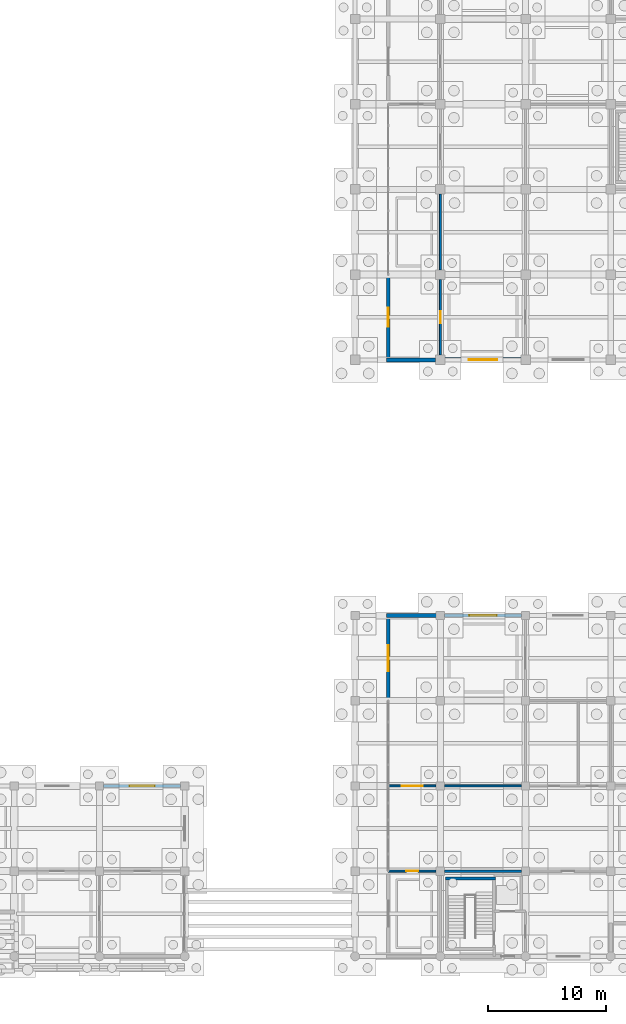
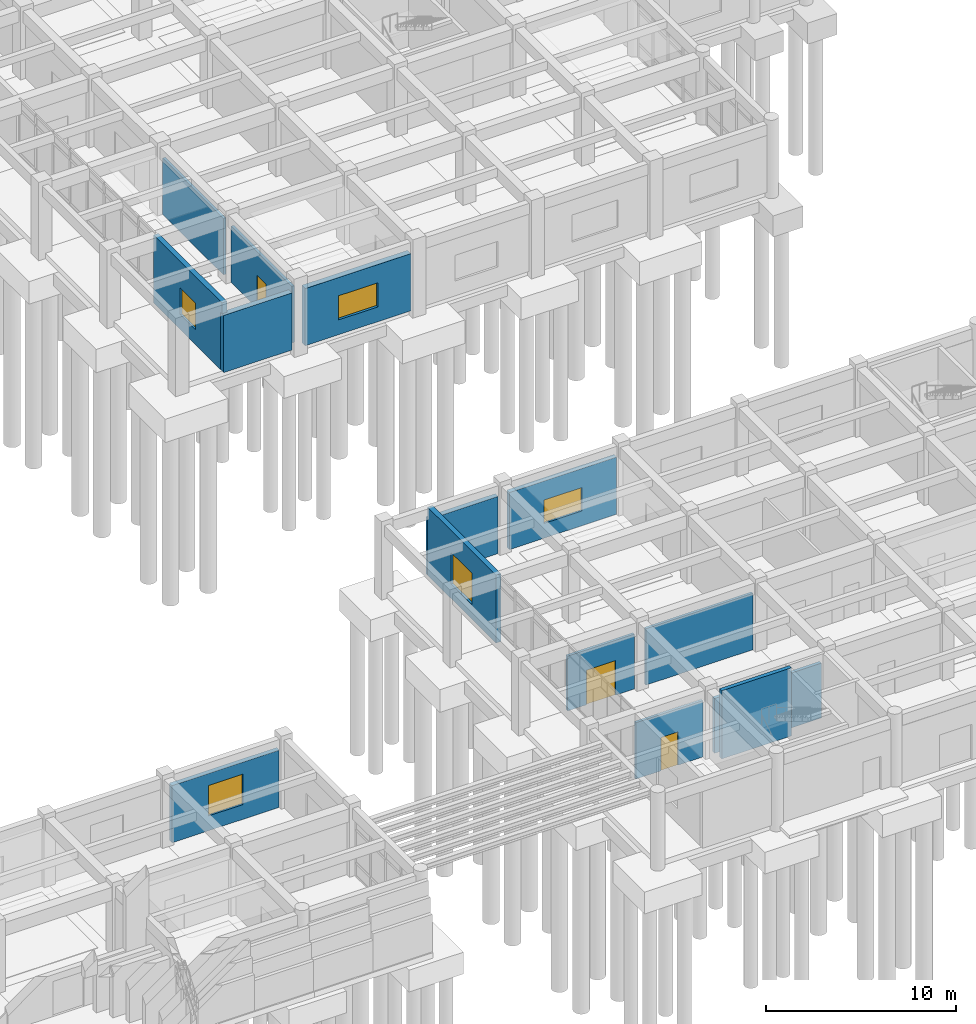
# One storey, part 60 of 79: 14 walls, 5 windows, 3 doors, 8 openings.
"""IFC4 building model written with IfcOpenShell, lengths in metres."""

from ifc_helpers import new_model, si_unit, direction, frame, frame_2d, origin, place, context, subcontext, project, spatial, rectangle, extrude, material, layer, layer_set, type_object, element, fill, save


model = new_model("IFC4")

# Units and contexts
model_context = context("Model", 3, precision=1e-05, world=origin(), true_north=direction((0.0, 1.0)))
body_context = subcontext(model_context, "Body", "Model", "MODEL_VIEW")
ifc_project = project(units=[si_unit("LENGTHUNIT", "METRE"), si_unit("AREAUNIT", "SQUARE_METRE"), si_unit("VOLUMEUNIT", "CUBIC_METRE"), si_unit("PLANEANGLEUNIT", "RADIAN"), si_unit("MASSUNIT", "GRAM", prefix="KILO")], contexts=[model_context])

# Site, building, storey
site_placement = place(None, origin())
site = spatial("IfcSite", under=ifc_project, at=site_placement, CompositionType="ELEMENT")
building_placement = place(site_placement, origin())
building = spatial("IfcBuilding", under=site, at=building_placement, Name="Kavelor Marine Aquarium", CompositionType="ELEMENT")
storey_placement = place(building_placement, origin())
storey = spatial("IfcBuildingStorey", under=building, at=storey_placement, Name="L00", CompositionType="ELEMENT", Elevation=0.0)

# Wall, opening, window
ifc_material_1 = material(Name="Concrete C45/55", Category="concrete")
ifc_layer_1 = layer(ifc_material_1, 0.360107421875)
ifc_layer_set_1 = layer_set([ifc_layer_1], Name="WL-EX1")
wall_type_1 = type_object("IfcWallType", Name="WL-EX1", PredefinedType="STANDARD", material=ifc_layer_set_1)
wall_1_placement = place(storey_placement, frame((132.405029296875, 53.199951171875, 0.0), z_axis=(0.0, 0.0, 1.0), x_axis=(-1.0, 0.0, 0.0)))
wall_1 = element("IfcWall", 1, at=wall_1_placement, inside=storey, type_object=wall_type_1, Name="ew:x:L00:17_07", PredefinedType="STANDARD", context=body_context, shape_type="SweptSolid", body=[
    extrude(rectangle(XDim=6.409912109375, YDim=0.360107421875, at=frame_2d((3.205078125, 0.0))), origin(), (0.0, 0.0, 1.0), 3.669921875),
])
opening_1_placement = place(wall_1_placement, frame((2.0048828125, 0.0, 0.949951171875)))
opening_1 = element("IfcOpeningElement", 2, at=opening_1_placement, cuts=wall_1, Name="Opening W14", PredefinedType="OPENING", context=body_context, shape_type="SweptSolid", body=[
    extrude(rectangle(XDim=2.39990234375, YDim=1.550048828125, at=frame_2d((1.199951171875, 0.77490234375))), frame((0.0, 0.18994140625, 0.0), z_axis=(0.0, -1.0, 0.0), x_axis=(1.0, 0.0, 0.0)), (0.0, 0.0, 1.0), 0.380107),
])
ifc_material_2 = material(Name="Anodised Aluminium Frame with Low-E Double Glazing", Category="aluminium")
window_type_1 = type_object("IfcWindowType", Name="WIN-W14", PartitioningType="DOUBLE_PANEL_VERTICAL", PredefinedType="WINDOW", material=ifc_material_2)
window_1_placement = place(opening_1_placement, origin())
window_1 = element("IfcWindow", 3, at=window_1_placement, inside=storey, type_object=window_type_1, Name="win:x:L00:17_07", OverallHeight=1.550048828125, OverallWidth=2.39990234375, PartitioningType="SINGLE_PANEL", PredefinedType="WINDOW", context=body_context, shape_type="SweptSolid", body=[
    extrude(rectangle(XDim=2.39990234375, YDim=1.550048828125, at=frame_2d((1.199951171875, 0.77490234375))), frame((0.0, 0.030029296875, 0.0), z_axis=(0.0, -1.0, 0.0), x_axis=(1.0, 0.0, 0.0)), (0.0, 0.0, 1.0), 0.06005859375),
])
fill(opening_1, window_1)

ifc_material_3 = material(Name="Concrete C45/55", Category="concrete")
ifc_layer_2 = layer(ifc_material_3, 0.320068359375)
ifc_layer_set_2 = layer_set([ifc_layer_2], Name="WL-EX2")
wall_type_2 = type_object("IfcWallType", Name="WL-EX2", PredefinedType="STANDARD", material=ifc_layer_set_2)
wall_2_placement = place(storey_placement, frame((121.199951171875, 31.60009765625, 0.0), z_axis=(0.0, 0.0, 1.0), x_axis=(0.0, -1.0, 0.0)))
wall_2 = element("IfcWall", 4, at=wall_2_placement, inside=storey, type_object=wall_type_2, Name="ew:arc:v3w:03", PredefinedType="STANDARD", context=body_context, shape_type="SweptSolid", body=[
    extrude(rectangle(XDim=7.2001953125, YDim=0.300048828125, at=frame_2d((3.60009765625, 0.0))), origin(), (0.0, 0.0, 1.0), 4.3701171875),
])
opening_2_placement = place(wall_2_placement, frame((2.5, 0.0, 0.949951171875)))
opening_2 = element("IfcOpeningElement", 5, at=opening_2_placement, cuts=wall_2, Name="Opening W12", PredefinedType="OPENING", context=body_context, shape_type="SweptSolid", body=[
    extrude(rectangle(XDim=2.199951171875, YDim=2.0, at=frame_2d((1.10009765625, 1.0))), frame((0.0, 0.159912109375, 0.0), z_axis=(0.0, -1.0, 0.0), x_axis=(1.0, 0.0, 0.0)), (0.0, 0.0, 1.0), 0.320049),
])
ifc_material_4 = material(Name="Anodised Aluminium Frame with Low-E Double Glazing", Category="aluminium")
window_type_2 = type_object("IfcWindowType", Name="WIN-W12", PartitioningType="DOUBLE_PANEL_VERTICAL", PredefinedType="WINDOW", material=ifc_material_4)
window_2_placement = place(opening_2_placement, origin())
window_2 = element("IfcWindow", 6, at=window_2_placement, inside=storey, type_object=window_type_2, Name="win:arc:v3w:03", OverallHeight=2.0, OverallWidth=2.199951171875, PartitioningType="SINGLE_PANEL", PredefinedType="WINDOW", context=body_context, shape_type="SweptSolid", body=[
    extrude(rectangle(XDim=2.199951171875, YDim=2.0, at=frame_2d((1.10009765625, 1.0))), frame((0.0, 0.030029296875, 0.0), z_axis=(0.0, -1.0, 0.0), x_axis=(1.0, 0.0, 0.0)), (0.0, 0.0, 1.0), 0.06005859375),
])
fill(opening_2, window_2)

wall_3_placement = place(storey_placement, frame((121.199951171875, 53.199951171875, 0.0), z_axis=(0.0, 0.0, 1.0), x_axis=(0.0, 1.0, 0.0)))
wall_3 = element("IfcWall", 7, at=wall_3_placement, inside=storey, type_object=wall_type_2, Name="ew:arc:v6w:07", PredefinedType="STANDARD", context=body_context, shape_type="SweptSolid", body=[
    extrude(rectangle(XDim=7.199951171875, YDim=0.300048828125, at=frame_2d((3.60009765625, 0.0))), origin(), (0.0, 0.0, 1.0), 4.3701171875),
])
opening_3_placement = place(wall_3_placement, frame((2.800048828125, 0.0, 0.949951171875)))
opening_3 = element("IfcOpeningElement", 8, at=opening_3_placement, cuts=wall_3, Name="Opening W06", PredefinedType="OPENING", context=body_context, shape_type="SweptSolid", body=[
    extrude(rectangle(XDim=1.60009765625, YDim=1.699951171875, at=frame_2d((0.800048828125, 0.85009765625))), frame((0.0, 0.159912109375, 0.0), z_axis=(0.0, -1.0, 0.0), x_axis=(1.0, 0.0, 0.0)), (0.0, 0.0, 1.0), 0.320049),
])
ifc_material_5 = material(Name="Anodised Aluminium Frame with Low-E Double Glazing", Category="aluminium")
window_type_3 = type_object("IfcWindowType", Name="WIN-W06", PartitioningType="SINGLE_PANEL", PredefinedType="WINDOW", material=ifc_material_5)
window_3_placement = place(opening_3_placement, origin())
window_3 = element("IfcWindow", 9, at=window_3_placement, inside=storey, type_object=window_type_3, Name="win:arc:v6w:07", OverallHeight=1.699951171875, OverallWidth=1.60009765625, PartitioningType="SINGLE_PANEL", PredefinedType="WINDOW", context=body_context, shape_type="SweptSolid", body=[
    extrude(rectangle(XDim=1.60009765625, YDim=1.699951171875, at=frame_2d((0.800048828125, 0.85009765625))), frame((0.0, 0.030029296875, 0.0), z_axis=(0.0, -1.0, 0.0), x_axis=(1.0, 0.0, 0.0)), (0.0, 0.0, 1.0), 0.06005859375),
])
fill(opening_3, window_3)

# Wall
ifc_material_6 = material(Name="Concrete C40/50", Category="concrete")
ifc_layer_3 = layer(ifc_material_6, 0.300048828125)
ifc_layer_set_3 = layer_set([ifc_layer_3], Name="WL-EX3")
wall_type_3 = type_object("IfcWallType", Name="WL-EX3", PredefinedType="STANDARD", material=ifc_layer_set_3)
wall_4_placement = place(storey_placement, frame((121.050048828125, 31.60009765625, 0.0), z_axis=(0.0, 0.0, 1.0), x_axis=(1.0, 0.0, 0.0)))
element("IfcWall", 10, at=wall_4_placement, inside=storey, type_object=wall_type_3, Name="ew:x:L00:16_04", PredefinedType="STANDARD", context=body_context, shape_type="SweptSolid", body=[
    extrude(rectangle(XDim=4.204833984375, YDim=0.300048828125, at=frame_2d((2.1025390625, 0.0))), origin(), (0.0, 0.0, 1.0), 3.669921875),
])

# Wall, opening, window
ifc_material_7 = material(Name="Concrete C40/50", Category="concrete")
ifc_layer_4 = layer(ifc_material_7, 0.280029296875)
ifc_layer_set_4 = layer_set([ifc_layer_4], Name="WL-EX4")
wall_type_4 = type_object("IfcWallType", Name="WL-EX4", PredefinedType="STANDARD", material=ifc_layer_set_4)
wall_5_placement = place(storey_placement, frame((97.14501953125, 17.199951171875, 0.0), z_axis=(0.0, 0.0, 1.0), x_axis=(1.0, 0.0, 0.0)))
wall_5 = element("IfcWall", 11, at=wall_5_placement, inside=storey, type_object=wall_type_4, Name="ew:x:L00:13_02", PredefinedType="STANDARD", context=body_context, shape_type="SweptSolid", body=[
    extrude(rectangle(XDim=6.510009765625, YDim=0.280029296875, at=frame_2d((3.2548828125, 0.0))), origin(), (0.0, 0.0, 1.0), 3.669921875),
])
opening_4_placement = place(wall_5_placement, frame((2.205078125, 0.0, 0.949951171875)))
opening_4 = element("IfcOpeningElement", 12, at=opening_4_placement, cuts=wall_5, Name="Opening W11", PredefinedType="OPENING", context=body_context, shape_type="SweptSolid", body=[
    extrude(rectangle(XDim=2.10009765625, YDim=1.949951171875, at=frame_2d((1.050048828125, 0.97509765625))), frame((0.0, 0.14990234375, 0.0), z_axis=(0.0, -1.0, 0.0), x_axis=(1.0, 0.0, 0.0)), (0.0, 0.0, 1.0), 0.300029),
])
ifc_material_8 = material(Name="Anodised Aluminium Frame with Low-E Double Glazing", Category="aluminium")
window_type_4 = type_object("IfcWindowType", Name="WIN-W11", PartitioningType="DOUBLE_PANEL_VERTICAL", PredefinedType="WINDOW", material=ifc_material_8)
window_4_placement = place(opening_4_placement, origin())
window_4 = element("IfcWindow", 13, at=window_4_placement, inside=storey, type_object=window_type_4, Name="win:x:L00:13_02", OverallHeight=1.949951171875, OverallWidth=2.10009765625, PartitioningType="SINGLE_PANEL", PredefinedType="WINDOW", context=body_context, shape_type="SweptSolid", body=[
    extrude(rectangle(XDim=2.10009765625, YDim=1.949951171875, at=frame_2d((1.050048828125, 0.97509765625))), frame((0.0, 0.030029296875, 0.0), z_axis=(0.0, -1.0, 0.0), x_axis=(1.0, 0.0, 0.0)), (0.0, 0.0, 1.0), 0.06005859375),
])
fill(opening_4, window_4)

wall_6_placement = place(storey_placement, frame((125.945068359375, 31.60009765625, 0.0), z_axis=(0.0, 0.0, 1.0), x_axis=(1.0, 0.0, 0.0)))
wall_6 = element("IfcWall", 14, at=wall_6_placement, inside=storey, type_object=wall_type_4, Name="ew:x:L00:17_04", PredefinedType="STANDARD", context=body_context, shape_type="SweptSolid", body=[
    extrude(rectangle(XDim=6.510009765625, YDim=0.280029296875, at=frame_2d((3.2548828125, 0.0))), origin(), (0.0, 0.0, 1.0), 3.669921875),
])
opening_5_placement = place(wall_6_placement, frame((2.10498046875, 0.0, 0.949951171875)))
opening_5 = element("IfcOpeningElement", 15, at=opening_5_placement, cuts=wall_6, Name="Opening W13", PredefinedType="OPENING", context=body_context, shape_type="SweptSolid", body=[
    extrude(rectangle(XDim=2.300048828125, YDim=1.5, at=frame_2d((1.14990234375, 0.75))), frame((0.0, 0.14990234375, 0.0), z_axis=(0.0, -1.0, 0.0), x_axis=(1.0, 0.0, 0.0)), (0.0, 0.0, 1.0), 0.300029),
])
ifc_material_9 = material(Name="Anodised Aluminium Frame with Low-E Double Glazing", Category="aluminium")
window_type_5 = type_object("IfcWindowType", Name="WIN-W13", PartitioningType="DOUBLE_PANEL_VERTICAL", PredefinedType="WINDOW", material=ifc_material_9)
window_5_placement = place(opening_5_placement, origin())
window_5 = element("IfcWindow", 16, at=window_5_placement, inside=storey, type_object=window_type_5, Name="win:x:L00:17_04", OverallHeight=1.5, OverallWidth=2.300048828125, PartitioningType="SINGLE_PANEL", PredefinedType="WINDOW", context=body_context, shape_type="SweptSolid", body=[
    extrude(rectangle(XDim=2.300048828125, YDim=1.5, at=frame_2d((1.14990234375, 0.75))), frame((0.0, 0.030029296875, 0.0), z_axis=(0.0, -1.0, 0.0), x_axis=(1.0, 0.0, 0.0)), (0.0, 0.0, 1.0), 0.06005859375),
])
fill(opening_5, window_5)

# Walls
ifc_material_10 = material(Name="Concrete C45/55", Category="concrete")
ifc_layer_5 = layer(ifc_material_10, 0.340087890625)
ifc_layer_set_5 = layer_set([ifc_layer_5], Name="WL-EX6")
wall_type_5 = type_object("IfcWallType", Name="WL-EX6", PredefinedType="STANDARD", material=ifc_layer_set_5)
wall_7_placement = place(storey_placement, frame((125.205078125, 53.199951171875, 0.0), z_axis=(0.0, 0.0, 1.0), x_axis=(-1.0, 0.0, 0.0)))
element("IfcWall", 17, at=wall_7_placement, inside=storey, type_object=wall_type_5, Name="ew:x:L00:16_07", PredefinedType="STANDARD", context=body_context, shape_type="SweptSolid", body=[
    extrude(rectangle(XDim=4.155029296875, YDim=0.340087890625, at=frame_2d((2.07763671875, 0.0))), origin(), (0.0, 0.0, 1.0), 3.669921875),
])
ifc_material_11 = material(Name="Concrete Blockwork Partition", Category="masonry")
ifc_layer_6 = layer(ifc_material_11, 0.199951171875)
ifc_layer_set_6 = layer_set([ifc_layer_6], Name="WL-PT1")
wall_type_6 = type_object("IfcWallType", Name="WL-PT1", PredefinedType="PARTITIONING", material=ifc_layer_set_6)
wall_8_placement = place(storey_placement, frame((125.949951171875, 10.0, 0.0), z_axis=(0.0, 0.0, 1.0), x_axis=(1.0, 0.0, 0.0)))
element("IfcWall", 18, at=wall_8_placement, inside=storey, type_object=wall_type_6, Name="pt:lob:C08:L00:n_full", PredefinedType="PARTITIONING", context=body_context, shape_type="SweptSolid", body=[
    extrude(rectangle(XDim=6.5, YDim=0.199951171875, at=frame_2d((3.25, 0.0))), origin(), (0.0, 0.0, 1.0), 3.52001953125),
])

# Wall, opening, door
ifc_material_12 = material(Name="Acoustic Gypsum Stud Partition")
ifc_layer_7 = layer(ifc_material_12, 0.159912109375)
ifc_layer_set_7 = layer_set([ifc_layer_7], Name="WL-PT2")
wall_type_7 = type_object("IfcWallType", Name="WL-PT2", PredefinedType="PARTITIONING", material=ifc_layer_set_7)
wall_9_placement = place(storey_placement, frame((121.199951171875, 10.0, 0.0), z_axis=(0.0, 0.0, 1.0), x_axis=(1.0, 0.0, 0.0)))
wall_9 = element("IfcWall", 19, at=wall_9_placement, inside=storey, type_object=wall_type_7, Name="pt:x:L00:16_00", PredefinedType="PARTITIONING", context=body_context, shape_type="SweptSolid", body=[
    extrude(rectangle(XDim=4.050048828125, YDim=0.159912109375, at=frame_2d((2.02490234375, 0.0))), origin(), (0.0, 0.0, 1.0), 3.6201171875),
])
opening_6_placement = place(wall_9_placement, frame((1.5, 0.0, 0.0)))
opening_6 = element("IfcOpeningElement", 20, at=opening_6_placement, cuts=wall_9, Name="Opening D05", PredefinedType="OPENING", context=body_context, shape_type="SweptSolid", body=[
    extrude(rectangle(XDim=1.050048828125, YDim=2.139892578125, at=frame_2d((0.52490234375, 1.06982421875))), frame((0.0, 0.08984375, 0.0), z_axis=(0.0, -1.0, 0.0), x_axis=(1.0, 0.0, 0.0)), (0.0, 0.0, 1.0), 0.179912),
])
ifc_material_13 = material(Name="Classroom Vision-Panel Timber Door", Category="wood")
door_type_1 = type_object("IfcDoorType", Name="DR-D05", OperationType="NOTDEFINED", PredefinedType="DOOR", material=ifc_material_13)
door_1_placement = place(opening_6_placement, origin())
door_1 = element("IfcDoor", 21, at=door_1_placement, inside=storey, type_object=door_type_1, Name="dr:rm:pt:x:L00:16_00:0", OperationType="SINGLE_SWING_RIGHT", OverallHeight=2.139892578125, OverallWidth=1.050048828125, PredefinedType="DOOR", context=body_context, shape_type="SweptSolid", body=[
    extrude(rectangle(XDim=1.050048828125, YDim=2.139892578125, at=frame_2d((0.52490234375, 1.06982421875))), frame((0.0, 0.02490234375, 0.0), z_axis=(0.0, -1.0, 0.0), x_axis=(1.0, 0.0, 0.0)), (0.0, 0.0, 1.0), 0.050048828125),
])
fill(opening_6, door_1)

wall_10_placement = place(storey_placement, frame((121.199951171875, 17.199951171875, 0.0), z_axis=(0.0, 0.0, 1.0), x_axis=(1.0, 0.0, 0.0)))
wall_10 = element("IfcWall", 22, at=wall_10_placement, inside=storey, type_object=wall_type_7, Name="pt:x:L00:16_01", PredefinedType="PARTITIONING", context=body_context, shape_type="SweptSolid", body=[
    extrude(rectangle(XDim=4.050048828125, YDim=0.159912109375, at=frame_2d((2.02490234375, 0.0))), origin(), (0.0, 0.0, 1.0), 3.52001953125),
])
opening_7_placement = place(wall_10_placement, frame((1.14501953125, 0.0, 0.0)))
opening_7 = element("IfcOpeningElement", 23, at=opening_7_placement, cuts=wall_10, Name="Opening D04", PredefinedType="OPENING", context=body_context, shape_type="SweptSolid", body=[
    extrude(rectangle(XDim=1.760009765625, YDim=2.219970703125, at=frame_2d((0.8798828125, 1.10986328125))), frame((0.0, 0.08984375, 0.0), z_axis=(0.0, -1.0, 0.0), x_axis=(1.0, 0.0, 0.0)), (0.0, 0.0, 1.0), 0.179912),
])
ifc_material_14 = material(Name="Glazed Aluminium Lecture Hall Double Door", Category="aluminium")
door_type_2 = type_object("IfcDoorType", Name="DR-D04", OperationType="NOTDEFINED", PredefinedType="DOOR", material=ifc_material_14)
door_2_placement = place(opening_7_placement, origin())
door_2 = element("IfcDoor", 24, at=door_2_placement, inside=storey, type_object=door_type_2, Name="dr:rm:pt:x:L00:16_01:0", OperationType="DOUBLE_DOOR_SINGLE_SWING", OverallHeight=2.219970703125, OverallWidth=1.760009765625, PredefinedType="DOOR", context=body_context, shape_type="SweptSolid", body=[
    extrude(rectangle(XDim=1.760009765625, YDim=2.219970703125, at=frame_2d((0.8798828125, 1.10986328125))), frame((0.0, 0.02490234375, 0.0), z_axis=(0.0, -1.0, 0.0), x_axis=(1.0, 0.0, 0.0)), (0.0, 0.0, 1.0), 0.050048828125),
])
fill(opening_7, door_2)

wall_11_placement = place(storey_placement, frame((125.60009765625, 53.60009765625, 0.0), z_axis=(0.0, 0.0, 1.0), x_axis=(0.0, 1.0, 0.0)))
wall_11 = element("IfcWall", 25, at=wall_11_placement, inside=storey, type_object=wall_type_7, Name="pt:y:L00:16_07", PredefinedType="PARTITIONING", context=body_context, shape_type="SweptSolid", body=[
    extrude(rectangle(XDim=6.39990234375, YDim=0.159912109375, at=frame_2d((3.199951171875, 0.0))), origin(), (0.0, 0.0, 1.0), 3.6201171875),
])
opening_8_placement = place(wall_11_placement, frame((2.7099609375, 0.0, 0.0)))
opening_8 = element("IfcOpeningElement", 26, at=opening_8_placement, cuts=wall_11, Name="Opening D07", PredefinedType="OPENING", context=body_context, shape_type="SweptSolid", body=[
    extrude(rectangle(XDim=0.97998046875, YDim=2.1201171875, at=frame_2d((0.489990234375, 1.06005859375))), frame((0.0, 0.08984375, 0.0), z_axis=(0.0, -1.0, 0.0), x_axis=(1.0, 0.0, 0.0)), (0.0, 0.0, 1.0), 0.179912),
])
ifc_material_15 = material(Name="Research Write-Up Timber Door", Category="wood")
door_type_3 = type_object("IfcDoorType", Name="DR-D07", OperationType="NOTDEFINED", PredefinedType="DOOR", material=ifc_material_15)
door_3_placement = place(opening_8_placement, origin())
door_3 = element("IfcDoor", 27, at=door_3_placement, inside=storey, type_object=door_type_3, Name="dr:rm:pt:y:L00:16_07:0", OperationType="SINGLE_SWING_LEFT", OverallHeight=2.1201171875, OverallWidth=0.97998046875, PredefinedType="DOOR", context=body_context, shape_type="SweptSolid", body=[
    extrude(rectangle(XDim=0.97998046875, YDim=2.1201171875, at=frame_2d((0.489990234375, 1.06005859375))), frame((0.0, 0.02490234375, 0.0), z_axis=(0.0, -1.0, 0.0), x_axis=(1.0, 0.0, 0.0)), (0.0, 0.0, 1.0), 0.050048828125),
])
fill(opening_8, door_3)

# Walls
wall_12_placement = place(storey_placement, frame((125.60009765625, 60.800048828125, 0.0), z_axis=(0.0, 0.0, 1.0), x_axis=(0.0, 1.0, 0.0)))
element("IfcWall", 28, at=wall_12_placement, inside=storey, type_object=wall_type_7, Name="pt:y:L00:16_08", PredefinedType="PARTITIONING", context=body_context, shape_type="SweptSolid", body=[
    extrude(rectangle(XDim=6.39990234375, YDim=0.159912109375, at=frame_2d((3.199951171875, 0.0))), origin(), (0.0, 0.0, 1.0), 3.6201171875),
])
wall_13_placement = place(storey_placement, frame((125.949951171875, 17.199951171875, 0.0), z_axis=(0.0, 0.0, 1.0), x_axis=(1.0, 0.0, 0.0)))
element("IfcWall", 29, at=wall_13_placement, inside=storey, type_object=wall_type_7, Name="pt:x:L00:17_01", PredefinedType="PARTITIONING", context=body_context, shape_type="SweptSolid", body=[
    extrude(rectangle(XDim=6.5, YDim=0.159912109375, at=frame_2d((3.25, 0.0))), origin(), (0.0, 0.0, 1.0), 3.6201171875),
])
ifc_material_16 = material(Name="Concrete C40/50", Category="concrete")
ifc_layer_8 = layer(ifc_material_16, 0.35009765625)
ifc_layer_set_8 = layer_set([ifc_layer_8], Name="WL-SW2")
wall_type_8 = type_object("IfcWallType", Name="WL-SW2", PredefinedType="SHEAR", material=ifc_layer_set_8)
wall_14_placement = place(storey_placement, frame((126.02001953125, 9.3798828125, 0.0), z_axis=(0.0, 0.0, 1.0), x_axis=(1.0, 0.0, 0.0)))
element("IfcWall", 30, at=wall_14_placement, inside=storey, type_object=wall_type_8, Name="cw_st:n:C08:L00", PredefinedType="SHEAR", context=body_context, shape_type="SweptSolid", body=[
    extrude(rectangle(XDim=4.239990234375, YDim=0.239990234375, at=frame_2d((2.1201171875, 0.0))), origin(), (0.0, 0.0, 1.0), 4.3798828125),
])

save(model, "model.ifc")
